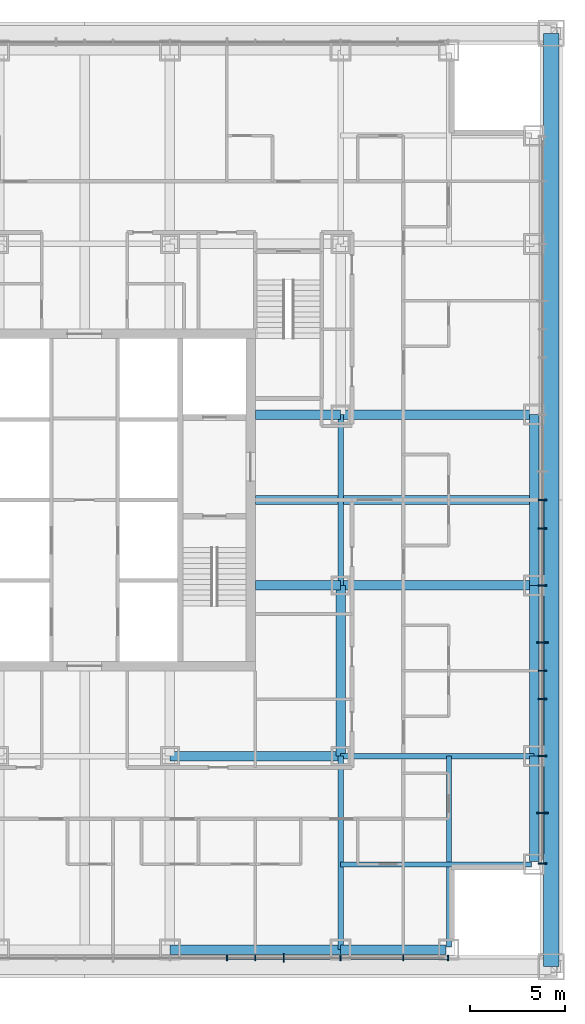
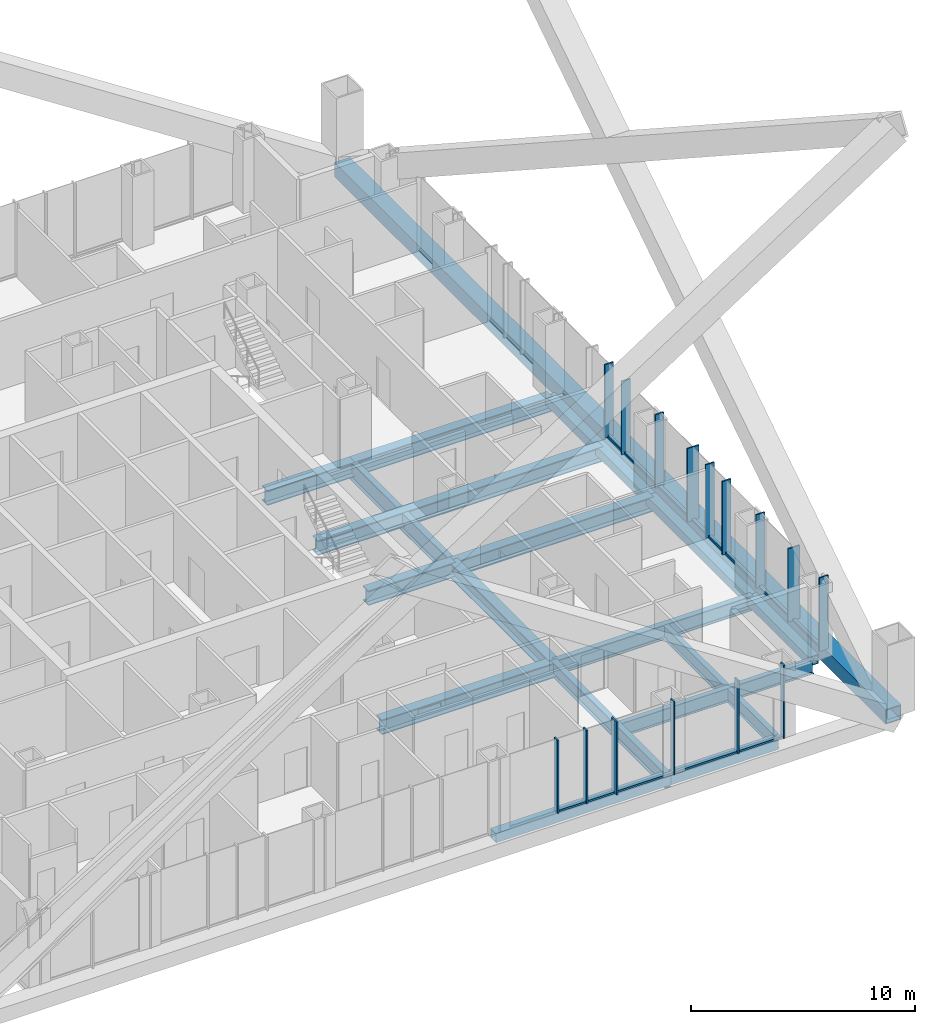
# One storey, part 5 of 21: 29 members, 17 beams, 2 elements without a shape of their own.
"""IFC4 building model written with IfcOpenShell, lengths in metres."""

from ifc_helpers import new_model, si_unit, direction, frame, origin, origin_2d, place, context, subcontext, project, spatial, rectangle, hollow_rectangle, i_section, extrude, material, layer, layer_set, material_profile, profile_set, type_object, element, aggregate, save


model = new_model("IFC4")

# Units and contexts
model_context = context("Model", 3, precision=1e-05, world=origin(), true_north=direction((0.0, 1.0)))
body_context = subcontext(model_context, "Body", "Model", "MODEL_VIEW")
ifc_project = project(units=[si_unit("LENGTHUNIT", "METRE"), si_unit("AREAUNIT", "SQUARE_METRE"), si_unit("VOLUMEUNIT", "CUBIC_METRE"), si_unit("PLANEANGLEUNIT", "RADIAN"), si_unit("MASSUNIT", "GRAM", prefix="KILO")], contexts=[model_context])

# Site, building, storey
site_placement = place(None, origin())
site = spatial("IfcSite", under=ifc_project, at=site_placement, CompositionType="ELEMENT")
building_placement = place(site_placement, origin())
building = spatial("IfcBuilding", under=site, at=building_placement, Name="Malebo Sky Hospital", CompositionType="ELEMENT")
storey_placement = place(building_placement, frame((0.0, 0.0, 140.0)))
storey = spatial("IfcBuildingStorey", under=building, at=storey_placement, Name="L33", CompositionType="ELEMENT", Elevation=140.0)

# Curtain wall, members
ifc_material_1 = material(Name="Anodised aluminium, natural silver", Category="aluminium")
ifc_layer_1 = layer(ifc_material_1, 0.25)
ifc_layer_set_1 = layer_set([ifc_layer_1], Name="WARD CURTAIN WALL NORTH AND SOUTH")
curtain_wall_type_1 = type_object("IfcCurtainWallType", Name="WARD CURTAIN WALL NORTH AND SOUTH", PredefinedType="NOTDEFINED", material=ifc_layer_set_1)
curtain_wall_1_placement = place(storey_placement, origin())
curtain_wall_1 = element("IfcCurtainWall", 1, at=curtain_wall_1_placement, inside=storey, type_object=curtain_wall_type_1, Name="NS curtain wall S", PredefinedType="NOTDEFINED")
ifc_material_profile_1 = material_profile(ifc_material_1, rectangle(XDim=0.14990234375, YDim=0.10009765625, at=origin_2d()), Name="ALUMINIUM TRANSOM 150x100")
ifc_profile_set_1 = profile_set([ifc_material_profile_1], Name="Anodised aluminium, natural silver")
member_type_1 = type_object("IfcMemberType", Name="ALUMINIUM TRANSOM 150x100", PredefinedType="USERDEFINED", material=ifc_profile_set_1)
member_1_placement = place(storey_placement, frame((79.125, 37.864990234375, 0.050048828125), z_axis=(-1.0, 0.0, 0.0), x_axis=(0.0, -1.0, 0.0)))
member_1 = element("IfcMember", 2, at=member_1_placement, type_object=member_type_1, Name="Transom 1", ObjectType="TRANSOM", PredefinedType="USERDEFINED", context=body_context, shape_type="SweptSolid", body=[
    extrude(rectangle(XDim=0.14990234375, YDim=0.10009765625, at=origin_2d()), origin(), (0.0, 0.0, 1.0), 2.28759765625),
])
member_2_placement = place(storey_placement, frame((76.762451171875, 37.864990234375, 0.050048828125), z_axis=(-1.0, 0.0, 0.0), x_axis=(0.0, -1.0, 0.0)))
member_2 = element("IfcMember", 3, at=member_2_placement, type_object=member_type_1, Name="Transom 2", ObjectType="TRANSOM", PredefinedType="USERDEFINED", context=body_context, shape_type="SweptSolid", body=[
    extrude(rectangle(XDim=0.14990234375, YDim=0.10009765625, at=origin_2d()), origin(), (0.0, 0.0, 1.0), 3.224853515625),
])
member_3_placement = place(storey_placement, frame((73.46240234375, 37.864990234375, 0.050048828125), z_axis=(-1.0, 0.0, 0.0), x_axis=(0.0, -1.0, 0.0)))
member_3 = element("IfcMember", 4, at=member_3_placement, type_object=member_type_1, Name="Transom 3", ObjectType="TRANSOM", PredefinedType="USERDEFINED", context=body_context, shape_type="SweptSolid", body=[
    extrude(rectangle(XDim=0.14990234375, YDim=0.10009765625, at=origin_2d()), origin(), (0.0, 0.0, 1.0), 2.9248046875),
])
member_4_placement = place(storey_placement, frame((70.46240234375, 37.864990234375, 0.050048828125), z_axis=(-1.0, 0.0, 0.0), x_axis=(0.0, -1.0, 0.0)))
member_4 = element("IfcMember", 5, at=member_4_placement, type_object=member_type_1, Name="Transom 4", ObjectType="TRANSOM", PredefinedType="USERDEFINED", context=body_context, shape_type="SweptSolid", body=[
    extrude(rectangle(XDim=0.14990234375, YDim=0.10009765625, at=origin_2d()), origin(), (0.0, 0.0, 1.0), 1.4248046875),
])
member_5_placement = place(storey_placement, frame((68.96240234375, 37.864990234375, 0.050048828125), z_axis=(-1.0, 0.0, 0.0), x_axis=(0.0, -1.0, 0.0)))
member_5 = element("IfcMember", 6, at=member_5_placement, type_object=member_type_1, Name="Transom 5", ObjectType="TRANSOM", PredefinedType="USERDEFINED", context=body_context, shape_type="SweptSolid", body=[
    extrude(rectangle(XDim=0.14990234375, YDim=0.10009765625, at=origin_2d()), origin(), (0.0, 0.0, 1.0), 1.4248046875),
])

ifc_layer_2 = layer(ifc_material_1, 0.25)
ifc_layer_set_2 = layer_set([ifc_layer_2], Name="WARD CURTAIN WALL EAST AND WEST")
curtain_wall_type_2 = type_object("IfcCurtainWallType", Name="WARD CURTAIN WALL EAST AND WEST", PredefinedType="NOTDEFINED", material=ifc_layer_set_2)
curtain_wall_2_placement = place(storey_placement, origin())
curtain_wall_2 = element("IfcCurtainWall", 7, at=curtain_wall_2_placement, inside=storey, type_object=curtain_wall_type_2, Name="EW curtain wall E", PredefinedType="NOTDEFINED")
member_6_placement = place(storey_placement, frame((84.135009765625, 61.96240234375, 0.050048828125), z_axis=(0.0, -1.0, 0.0), x_axis=(1.0, 0.0, 0.0)))
member_6 = element("IfcMember", 8, at=member_6_placement, type_object=member_type_1, Name="Transom 9", ObjectType="TRANSOM", PredefinedType="USERDEFINED", context=body_context, shape_type="SweptSolid", body=[
    extrude(rectangle(XDim=0.14990234375, YDim=0.10009765625, at=origin_2d()), origin(), (0.0, 0.0, 1.0), 1.4248046875),
])
member_7_placement = place(storey_placement, frame((84.135009765625, 60.46240234375, 0.050048828125), z_axis=(0.0, -1.0, 0.0), x_axis=(1.0, 0.0, 0.0)))
member_7 = element("IfcMember", 9, at=member_7_placement, type_object=member_type_1, Name="Transom 10", ObjectType="TRANSOM", PredefinedType="USERDEFINED", context=body_context, shape_type="SweptSolid", body=[
    extrude(rectangle(XDim=0.14990234375, YDim=0.10009765625, at=origin_2d()), origin(), (0.0, 0.0, 1.0), 2.9248046875),
])
member_8_placement = place(storey_placement, frame((84.135009765625, 57.46240234375, 0.050048828125), z_axis=(0.0, -1.0, 0.0), x_axis=(1.0, 0.0, 0.0)))
member_8 = element("IfcMember", 10, at=member_8_placement, type_object=member_type_1, Name="Transom 11", ObjectType="TRANSOM", PredefinedType="USERDEFINED", context=body_context, shape_type="SweptSolid", body=[
    extrude(rectangle(XDim=0.14990234375, YDim=0.10009765625, at=origin_2d()), origin(), (0.0, 0.0, 1.0), 2.9248046875),
])
member_9_placement = place(storey_placement, frame((84.135009765625, 54.46240234375, 0.050048828125), z_axis=(0.0, -1.0, 0.0), x_axis=(1.0, 0.0, 0.0)))
member_9 = element("IfcMember", 11, at=member_9_placement, type_object=member_type_1, Name="Transom 12", ObjectType="TRANSOM", PredefinedType="USERDEFINED", context=body_context, shape_type="SweptSolid", body=[
    extrude(rectangle(XDim=0.14990234375, YDim=0.10009765625, at=origin_2d()), origin(), (0.0, 0.0, 1.0), 1.4248046875),
])
member_10_placement = place(storey_placement, frame((84.135009765625, 52.96240234375, 0.050048828125), z_axis=(0.0, -1.0, 0.0), x_axis=(1.0, 0.0, 0.0)))
member_10 = element("IfcMember", 12, at=member_10_placement, type_object=member_type_1, Name="Transom 13", ObjectType="TRANSOM", PredefinedType="USERDEFINED", context=body_context, shape_type="SweptSolid", body=[
    extrude(rectangle(XDim=0.14990234375, YDim=0.10009765625, at=origin_2d()), origin(), (0.0, 0.0, 1.0), 1.4248046875),
])
member_11_placement = place(storey_placement, frame((84.135009765625, 51.46240234375, 0.050048828125), z_axis=(0.0, -1.0, 0.0), x_axis=(1.0, 0.0, 0.0)))
member_11 = element("IfcMember", 13, at=member_11_placement, type_object=member_type_1, Name="Transom 14", ObjectType="TRANSOM", PredefinedType="USERDEFINED", context=body_context, shape_type="SweptSolid", body=[
    extrude(rectangle(XDim=0.14990234375, YDim=0.10009765625, at=origin_2d()), origin(), (0.0, 0.0, 1.0), 2.9248046875),
])
member_12_placement = place(storey_placement, frame((84.135009765625, 48.46240234375, 0.050048828125), z_axis=(0.0, -1.0, 0.0), x_axis=(1.0, 0.0, 0.0)))
member_12 = element("IfcMember", 14, at=member_12_placement, type_object=member_type_1, Name="Transom 15", ObjectType="TRANSOM", PredefinedType="USERDEFINED", context=body_context, shape_type="SweptSolid", body=[
    extrude(rectangle(XDim=0.14990234375, YDim=0.10009765625, at=origin_2d()), origin(), (0.0, 0.0, 1.0), 2.9248046875),
])
member_13_placement = place(storey_placement, frame((84.135009765625, 45.46240234375, 0.050048828125), z_axis=(0.0, -1.0, 0.0), x_axis=(1.0, 0.0, 0.0)))
member_13 = element("IfcMember", 15, at=member_13_placement, type_object=member_type_1, Name="Transom 16", ObjectType="TRANSOM", PredefinedType="USERDEFINED", context=body_context, shape_type="SweptSolid", body=[
    extrude(rectangle(XDim=0.14990234375, YDim=0.10009765625, at=origin_2d()), origin(), (0.0, 0.0, 1.0), 2.58740234375),
])

# Member
ifc_material_profile_2 = material_profile(ifc_material_1, rectangle(XDim=0.074951171875, YDim=0.300048828125, at=origin_2d()), Name="CW1 ALUMINIUM FIN MULLION 75x300")
ifc_profile_set_2 = profile_set([ifc_material_profile_2], Name="Anodised aluminium, natural silver")
member_type_2 = type_object("IfcMemberType", Name="CW1 ALUMINIUM FIN MULLION 75x300", PredefinedType="MULLION", material=ifc_profile_set_2)
member_14_placement = place(storey_placement, frame((79.16259765625, 37.864990234375, 0.0), z_axis=(0.0, 0.0, 1.0), x_axis=(-1.0, 0.0, 0.0)))
member_14 = element("IfcMember", 16, at=member_14_placement, type_object=member_type_2, Name="Fin mullion 1", PredefinedType="MULLION", context=body_context, shape_type="SweptSolid", body=[
    extrude(rectangle(XDim=0.074951171875, YDim=0.300048828125, at=origin_2d()), origin(), (0.0, 0.0, 1.0), 4.0),
])

member_15_placement = place(storey_placement, frame((76.800048828125, 37.864990234375, 0.0), z_axis=(0.0, 0.0, 1.0), x_axis=(-1.0, 0.0, 0.0)))
member_15 = element("IfcMember", 17, at=member_15_placement, type_object=member_type_2, Name="Fin mullion 2", PredefinedType="MULLION", context=body_context, shape_type="SweptSolid", body=[
    extrude(rectangle(XDim=0.074951171875, YDim=0.300048828125, at=origin_2d()), origin(), (0.0, 0.0, 1.0), 4.0),
])

member_16_placement = place(storey_placement, frame((73.5, 37.864990234375, 0.0), z_axis=(0.0, 0.0, 1.0), x_axis=(-1.0, 0.0, 0.0)))
member_16 = element("IfcMember", 18, at=member_16_placement, type_object=member_type_2, Name="Fin mullion 3", PredefinedType="MULLION", context=body_context, shape_type="SweptSolid", body=[
    extrude(rectangle(XDim=0.074951171875, YDim=0.300048828125, at=origin_2d()), origin(), (0.0, 0.0, 1.0), 4.0),
])

member_17_placement = place(storey_placement, frame((69.0, 37.864990234375, 0.0), z_axis=(0.0, 0.0, 1.0), x_axis=(-1.0, 0.0, 0.0)))
member_17 = element("IfcMember", 19, at=member_17_placement, type_object=member_type_2, Name="Fin mullion 5", PredefinedType="MULLION", context=body_context, shape_type="SweptSolid", body=[
    extrude(rectangle(XDim=0.074951171875, YDim=0.300048828125, at=origin_2d()), origin(), (0.0, 0.0, 1.0), 4.0),
])

member_18_placement = place(storey_placement, frame((67.5, 37.864990234375, 0.0), z_axis=(0.0, 0.0, 1.0), x_axis=(-1.0, 0.0, 0.0)))
member_18 = element("IfcMember", 20, at=member_18_placement, type_object=member_type_2, Name="Fin mullion 6", PredefinedType="MULLION", context=body_context, shape_type="SweptSolid", body=[
    extrude(rectangle(XDim=0.074951171875, YDim=0.300048828125, at=origin_2d()), origin(), (0.0, 0.0, 1.0), 4.0),
])

ifc_material_profile_3 = material_profile(ifc_material_1, rectangle(XDim=0.074951171875, YDim=0.449951171875, at=origin_2d()), Name="CW1 ALUMINIUM FIN MULLION 75x450")
ifc_profile_set_3 = profile_set([ifc_material_profile_3], Name="Anodised aluminium, natural silver")
member_type_3 = type_object("IfcMemberType", Name="CW1 ALUMINIUM FIN MULLION 75x450", PredefinedType="MULLION", material=ifc_profile_set_3)
member_19_placement = place(storey_placement, frame((70.5, 37.864990234375, 0.0), z_axis=(0.0, 0.0, 1.0), x_axis=(-1.0, 0.0, 0.0)))
member_19 = element("IfcMember", 21, at=member_19_placement, type_object=member_type_3, Name="Fin mullion 4", PredefinedType="MULLION", context=body_context, shape_type="SweptSolid", body=[
    extrude(rectangle(XDim=0.074951171875, YDim=0.449951171875, at=origin_2d()), origin(), (0.0, 0.0, 1.0), 4.0),
])

aggregate(curtain_wall_1, [member_14, member_15, member_16, member_19, member_17, member_18, member_1, member_2, member_3, member_4, member_5])

ifc_material_profile_4 = material_profile(ifc_material_1, rectangle(XDim=0.074951171875, YDim=0.449951171875, at=origin_2d()), Name="CW2 ALUMINIUM FIN MULLION 75x450")
ifc_profile_set_4 = profile_set([ifc_material_profile_4], Name="Anodised aluminium, natural silver")
member_type_4 = type_object("IfcMemberType", Name="CW2 ALUMINIUM FIN MULLION 75x450", PredefinedType="MULLION", material=ifc_profile_set_4)
member_20_placement = place(storey_placement, frame((84.135009765625, 62.0, 0.0), z_axis=(0.0, 0.0, 1.0), x_axis=(0.0, -1.0, 0.0)))
member_20 = element("IfcMember", 22, at=member_20_placement, type_object=member_type_4, Name="Fin mullion 9", PredefinedType="MULLION", context=body_context, shape_type="SweptSolid", body=[
    extrude(rectangle(XDim=0.074951171875, YDim=0.449951171875, at=origin_2d()), origin(), (0.0, 0.0, 1.0), 4.0),
])

member_21_placement = place(storey_placement, frame((84.135009765625, 60.5, 0.0), z_axis=(0.0, 0.0, 1.0), x_axis=(0.0, -1.0, 0.0)))
member_21 = element("IfcMember", 23, at=member_21_placement, type_object=member_type_4, Name="Fin mullion 10", PredefinedType="MULLION", context=body_context, shape_type="SweptSolid", body=[
    extrude(rectangle(XDim=0.074951171875, YDim=0.449951171875, at=origin_2d()), origin(), (0.0, 0.0, 1.0), 4.0),
])

member_22_placement = place(storey_placement, frame((84.135009765625, 57.5, 0.0), z_axis=(0.0, 0.0, 1.0), x_axis=(0.0, -1.0, 0.0)))
member_22 = element("IfcMember", 24, at=member_22_placement, type_object=member_type_4, Name="Fin mullion 11", PredefinedType="MULLION", context=body_context, shape_type="SweptSolid", body=[
    extrude(rectangle(XDim=0.074951171875, YDim=0.449951171875, at=origin_2d()), origin(), (0.0, 0.0, 1.0), 4.0),
])

member_23_placement = place(storey_placement, frame((84.135009765625, 53.0, 0.0), z_axis=(0.0, 0.0, 1.0), x_axis=(0.0, -1.0, 0.0)))
member_23 = element("IfcMember", 25, at=member_23_placement, type_object=member_type_4, Name="Fin mullion 13", PredefinedType="MULLION", context=body_context, shape_type="SweptSolid", body=[
    extrude(rectangle(XDim=0.074951171875, YDim=0.449951171875, at=origin_2d()), origin(), (0.0, 0.0, 1.0), 4.0),
])

member_24_placement = place(storey_placement, frame((84.135009765625, 51.5, 0.0), z_axis=(0.0, 0.0, 1.0), x_axis=(0.0, -1.0, 0.0)))
member_24 = element("IfcMember", 26, at=member_24_placement, type_object=member_type_4, Name="Fin mullion 14", PredefinedType="MULLION", context=body_context, shape_type="SweptSolid", body=[
    extrude(rectangle(XDim=0.074951171875, YDim=0.449951171875, at=origin_2d()), origin(), (0.0, 0.0, 1.0), 4.0),
])

member_25_placement = place(storey_placement, frame((84.135009765625, 48.5, 0.0), z_axis=(0.0, 0.0, 1.0), x_axis=(0.0, -1.0, 0.0)))
member_25 = element("IfcMember", 27, at=member_25_placement, type_object=member_type_4, Name="Fin mullion 15", PredefinedType="MULLION", context=body_context, shape_type="SweptSolid", body=[
    extrude(rectangle(XDim=0.074951171875, YDim=0.449951171875, at=origin_2d()), origin(), (0.0, 0.0, 1.0), 4.0),
])

member_26_placement = place(storey_placement, frame((84.135009765625, 42.83740234375, 0.0), z_axis=(0.0, 0.0, 1.0), x_axis=(0.0, -1.0, 0.0)))
member_26 = element("IfcMember", 28, at=member_26_placement, type_object=member_type_4, Name="Fin mullion 17", PredefinedType="MULLION", context=body_context, shape_type="SweptSolid", body=[
    extrude(rectangle(XDim=0.074951171875, YDim=0.449951171875, at=origin_2d()), origin(), (0.0, 0.0, 1.0), 4.0),
])

ifc_material_profile_5 = material_profile(ifc_material_1, rectangle(XDim=0.074951171875, YDim=0.60009765625, at=origin_2d()), Name="CW2 ALUMINIUM FIN MULLION 75x600")
ifc_profile_set_5 = profile_set([ifc_material_profile_5], Name="Anodised aluminium, natural silver")
member_type_5 = type_object("IfcMemberType", Name="CW2 ALUMINIUM FIN MULLION 75x600", PredefinedType="MULLION", material=ifc_profile_set_5)
member_27_placement = place(storey_placement, frame((84.135009765625, 54.5, 0.0), z_axis=(0.0, 0.0, 1.0), x_axis=(0.0, -1.0, 0.0)))
member_27 = element("IfcMember", 29, at=member_27_placement, type_object=member_type_5, Name="Fin mullion 12", PredefinedType="MULLION", context=body_context, shape_type="SweptSolid", body=[
    extrude(rectangle(XDim=0.074951171875, YDim=0.60009765625, at=origin_2d()), origin(), (0.0, 0.0, 1.0), 4.0),
])

member_28_placement = place(storey_placement, frame((84.135009765625, 45.5, 0.0), z_axis=(0.0, 0.0, 1.0), x_axis=(0.0, -1.0, 0.0)))
member_28 = element("IfcMember", 30, at=member_28_placement, type_object=member_type_5, Name="Fin mullion 16", PredefinedType="MULLION", context=body_context, shape_type="SweptSolid", body=[
    extrude(rectangle(XDim=0.074951171875, YDim=0.60009765625, at=origin_2d()), origin(), (0.0, 0.0, 1.0), 4.0),
])

aggregate(curtain_wall_2, [member_20, member_21, member_22, member_27, member_23, member_24, member_25, member_28, member_26, member_6, member_7, member_8, member_9, member_10, member_11, member_12, member_13])

# Beams
ifc_material_2 = material(Name="Steel S460", Category="steel")
ifc_material_profile_6 = material_profile(ifc_material_2, hollow_rectangle(XDim=0.5, YDim=0.5, WallThickness=0.030029296875, at=origin_2d()), Name="BOX 500x500x30")
ifc_profile_set_6 = profile_set([ifc_material_profile_6], Name="Steel S460")
beam_type_1 = type_object("IfcBeamType", Name="EDGE BEAM BOX 500x500x30", PredefinedType="BEAM", material=ifc_profile_set_6)
beam_1_placement = place(storey_placement, frame((83.699951171875, 42.949951171875, -0.5), z_axis=(0.0, 1.0, 0.0), x_axis=(-1.0, 0.0, 0.0)))
element("IfcBeam", 31, at=beam_1_placement, inside=storey, type_object=beam_type_1, Name="Beam 029 L33", PredefinedType="BEAM", context=body_context, shape_type="SweptSolid", body=[
    extrude(hollow_rectangle(XDim=0.5, YDim=0.5, WallThickness=0.030029296875, at=origin_2d()), origin(), (0.0, 0.0, 1.0), 5.550048828125),
])
for number, where, z_axis, x_axis, name in (
    (32, (83.699951171875, 48.5, -0.5), (0.0, 1.0, 0.0), (-1.0, 0.0, 0.0), "Beam 030 L33"),
    (33, (83.699951171875, 57.5, -0.5), (0.0, 1.0, 0.0), (-1.0, 0.0, 0.0), "Beam 031 L33"),
    (34, (64.5, 38.300048828125, -0.5), (1.0, 0.0, 0.0), (0.0, 1.0, 0.0), "Beam 037 L33"),
):
    element("IfcBeam", number, at=place(storey_placement, frame(where, z_axis=z_axis, x_axis=x_axis)), inside=storey, type_object=beam_type_1, Name=name, PredefinedType="BEAM", context=body_context, shape_type="SweptSolid", body=[
        extrude(hollow_rectangle(XDim=0.5, YDim=0.5, WallThickness=0.030029296875, at=origin_2d()), origin(), (0.0, 0.0, 1.0), 9.0),
    ])
beam_2_placement = place(storey_placement, frame((73.5, 38.300048828125, -0.5), z_axis=(1.0, 0.0, 0.0), x_axis=(0.0, 1.0, 0.0)))
element("IfcBeam", 35, at=beam_2_placement, inside=storey, type_object=beam_type_1, Name="Beam 038 L33", PredefinedType="BEAM", context=body_context, shape_type="SweptSolid", body=[
    extrude(hollow_rectangle(XDim=0.5, YDim=0.5, WallThickness=0.030029296875, at=origin_2d()), origin(), (0.0, 0.0, 1.0), 5.550048828125),
])
ifc_material_3 = material(Name="Steel S355", Category="steel")
ifc_material_profile_7 = material_profile(ifc_material_3, i_section(OverallWidth=0.262939453125, OverallDepth=0.7529296875, WebThickness=0.011474609375, FlangeThickness=0.01708984375, FilletRadius=0.01708984375, at=origin_2d()), Name="IPE 750x137")
ifc_profile_set_7 = profile_set([ifc_material_profile_7], Name="Steel S355")
beam_type_2 = type_object("IfcBeamType", Name="FLOOR BEAM IPE 750x137", PredefinedType="BEAM", material=ifc_profile_set_7)
for number, where, z_axis, x_axis, name in (
    (36, (79.199951171875, 38.449951171875, -0.62646484375), (0.0, 1.0, 0.0), (-1.0, 0.0, 0.0), "Beam 027 L33"),
    (37, (73.5, 42.800048828125, -0.62646484375), (1.0, 0.0, 0.0), (0.0, 1.0, 0.0), "Beam 040 L33"),
):
    element("IfcBeam", number, at=place(storey_placement, frame(where, z_axis=z_axis, x_axis=x_axis)), inside=storey, type_object=beam_type_2, Name=name, PredefinedType="BEAM", context=body_context, shape_type="SweptSolid", body=[
        extrude(i_section(OverallWidth=0.262939453125, OverallDepth=0.7529296875, WebThickness=0.011474609375, FlangeThickness=0.01708984375, FilletRadius=0.01708984375, at=origin_2d()), origin(), (0.0, 0.0, 1.0), 10.050048828125),
    ])
ifc_material_profile_8 = material_profile(ifc_material_3, i_section(OverallWidth=0.5, OverallDepth=0.800048828125, WebThickness=0.030029296875, FlangeThickness=0.050048828125, at=origin_2d()), Name="PG 800x500x30x50")
ifc_profile_set_8 = profile_set([ifc_material_profile_8], Name="Steel S355")
beam_type_3 = type_object("IfcBeamType", Name="FLOOR BEAM PG 800x500x30x50", PredefinedType="BEAM", material=ifc_profile_set_8)
for number, where, z_axis, x_axis, name in (
    (38, (73.5, 48.5, -0.64990234375), (0.0, 1.0, 0.0), (-1.0, 0.0, 0.0), "Beam 023 L33"),
    (39, (64.5, 48.5, -0.64990234375), (1.0, 0.0, 0.0), (0.0, 1.0, 0.0), "Beam 044 L33"),
):
    element("IfcBeam", number, at=place(storey_placement, frame(where, z_axis=z_axis, x_axis=x_axis)), inside=storey, type_object=beam_type_3, Name=name, PredefinedType="BEAM", context=body_context, shape_type="SweptSolid", body=[
        extrude(i_section(OverallWidth=0.5, OverallDepth=0.800048828125, WebThickness=0.030029296875, FlangeThickness=0.050048828125, at=origin_2d()), origin(), (0.0, 0.0, 1.0), 9.0),
    ])
beam_3_placement = place(storey_placement, frame((69.0, 57.5, -0.64990234375), z_axis=(1.0, 0.0, 0.0), x_axis=(0.0, 1.0, 0.0)))
element("IfcBeam", 40, at=beam_3_placement, inside=storey, type_object=beam_type_3, Name="Beam 048 L33", PredefinedType="BEAM", context=body_context, shape_type="SweptSolid", body=[
    extrude(i_section(OverallWidth=0.5, OverallDepth=0.800048828125, WebThickness=0.030029296875, FlangeThickness=0.050048828125, at=origin_2d()), origin(), (0.0, 0.0, 1.0), 4.5),
])
beam_4_placement = place(storey_placement, frame((73.5, 57.5, -0.64990234375), z_axis=(1.0, 0.0, 0.0), x_axis=(0.0, 1.0, 0.0)))
element("IfcBeam", 41, at=beam_4_placement, inside=storey, type_object=beam_type_3, Name="Beam 049 L33", PredefinedType="BEAM", context=body_context, shape_type="SweptSolid", body=[
    extrude(i_section(OverallWidth=0.5, OverallDepth=0.800048828125, WebThickness=0.030029296875, FlangeThickness=0.050048828125, at=origin_2d()), origin(), (0.0, 0.0, 1.0), 10.199951171875),
])
beam_5_placement = place(storey_placement, frame((69.0, 62.0, -0.64990234375), z_axis=(1.0, 0.0, 0.0), x_axis=(0.0, 1.0, 0.0)))
element("IfcBeam", 42, at=beam_5_placement, inside=storey, type_object=beam_type_3, Name="Beam 051 L33", PredefinedType="BEAM", context=body_context, shape_type="SweptSolid", body=[
    extrude(i_section(OverallWidth=0.5, OverallDepth=0.800048828125, WebThickness=0.030029296875, FlangeThickness=0.050048828125, at=origin_2d()), origin(), (0.0, 0.0, 1.0), 14.699951171875),
])
beam_6_placement = place(storey_placement, frame((69.0, 66.5, -0.64990234375), z_axis=(1.0, 0.0, 0.0), x_axis=(0.0, 1.0, 0.0)))
element("IfcBeam", 43, at=beam_6_placement, inside=storey, type_object=beam_type_3, Name="Beam 054 L33", PredefinedType="BEAM", context=body_context, shape_type="SweptSolid", body=[
    extrude(i_section(OverallWidth=0.5, OverallDepth=0.800048828125, WebThickness=0.030029296875, FlangeThickness=0.050048828125, at=origin_2d()), origin(), (0.0, 0.0, 1.0), 4.5),
])
beam_7_placement = place(storey_placement, frame((73.5, 66.5, -0.64990234375), z_axis=(1.0, 0.0, 0.0), x_axis=(0.0, 1.0, 0.0)))
element("IfcBeam", 44, at=beam_7_placement, inside=storey, type_object=beam_type_3, Name="Beam 055 L33", PredefinedType="BEAM", context=body_context, shape_type="SweptSolid", body=[
    extrude(i_section(OverallWidth=0.5, OverallDepth=0.800048828125, WebThickness=0.030029296875, FlangeThickness=0.050048828125, at=origin_2d()), origin(), (0.0, 0.0, 1.0), 10.199951171875),
])
ifc_material_profile_9 = material_profile(ifc_material_3, i_section(OverallWidth=0.300048828125, OverallDepth=0.800048828125, WebThickness=0.017578125, FlangeThickness=0.032958984375, FilletRadius=0.030029296875, at=origin_2d()), Name="HEB 800")
ifc_profile_set_9 = profile_set([ifc_material_profile_9], Name="Steel S355")
beam_type_4 = type_object("IfcBeamType", Name="FLOOR GIRDER HEB 800", PredefinedType="BEAM", material=ifc_profile_set_9)
for number, where, z_axis, x_axis, name in (
    (45, (73.5, 38.300048828125, -0.64990234375), (0.0, 1.0, 0.0), (-1.0, 0.0, 0.0), "Beam 022 L33"),
    (46, (73.5, 48.5, -0.64990234375), (1.0, 0.0, 0.0), (0.0, 1.0, 0.0), "Beam 045 L33"),
):
    element("IfcBeam", number, at=place(storey_placement, frame(where, z_axis=z_axis, x_axis=x_axis)), inside=storey, type_object=beam_type_4, Name=name, PredefinedType="BEAM", context=body_context, shape_type="SweptSolid", body=[
        extrude(i_section(OverallWidth=0.300048828125, OverallDepth=0.800048828125, WebThickness=0.017578125, FlangeThickness=0.032958984375, FilletRadius=0.030029296875, at=origin_2d()), origin(), (0.0, 0.0, 1.0), 10.199951171875),
    ])

# Member
ifc_material_profile_10 = material_profile(ifc_material_2, hollow_rectangle(XDim=0.800048828125, YDim=0.800048828125, WallThickness=0.0400390625, at=origin_2d()), Name="BOX 800x800x40")
ifc_profile_set_10 = profile_set([ifc_material_profile_10], Name="Steel S460")
member_type_6 = type_object("IfcMemberType", Name="MEGA TIE BOX 800x800x40", PredefinedType="CHORD", material=ifc_profile_set_10)
member_29_placement = place(storey_placement, frame((84.60009765625, 37.39990234375, -0.39990234375), z_axis=(0.0, 1.0, 0.0), x_axis=(-1.0, 0.0, 0.0)))
element("IfcMember", 47, at=member_29_placement, inside=storey, type_object=member_type_6, Name="Mega tie BE L33", PredefinedType="CHORD", context=body_context, shape_type="SweptSolid", body=[
    extrude(hollow_rectangle(XDim=0.800048828125, YDim=0.800048828125, WallThickness=0.0400390625, at=origin_2d()), origin(), (0.0, 0.0, 1.0), 49.2001953125),
])

# Beam
ifc_material_profile_11 = material_profile(ifc_material_3, i_section(OverallWidth=0.300048828125, OverallDepth=1.0, WebThickness=0.01904296875, FlangeThickness=0.035888671875, FilletRadius=0.030029296875, at=origin_2d()), Name="HEB 1000")
ifc_profile_set_11 = profile_set([ifc_material_profile_11], Name="Steel S355")
beam_type_5 = type_object("IfcBeamType", Name="RING GIRDER HEB 1000", PredefinedType="BEAM", material=ifc_profile_set_11)
beam_8_placement = place(storey_placement, frame((73.5, 57.5, -0.75), z_axis=(0.0, 1.0, 0.0), x_axis=(-1.0, 0.0, 0.0)))
element("IfcBeam", 48, at=beam_8_placement, inside=storey, type_object=beam_type_5, Name="Beam 024 L33", PredefinedType="BEAM", context=body_context, shape_type="SweptSolid", body=[
    extrude(i_section(OverallWidth=0.300048828125, OverallDepth=1.0, WebThickness=0.01904296875, FlangeThickness=0.035888671875, FilletRadius=0.030029296875, at=origin_2d()), origin(), (0.0, 0.0, 1.0), 9.0),
])

save(model, "model.ifc")
